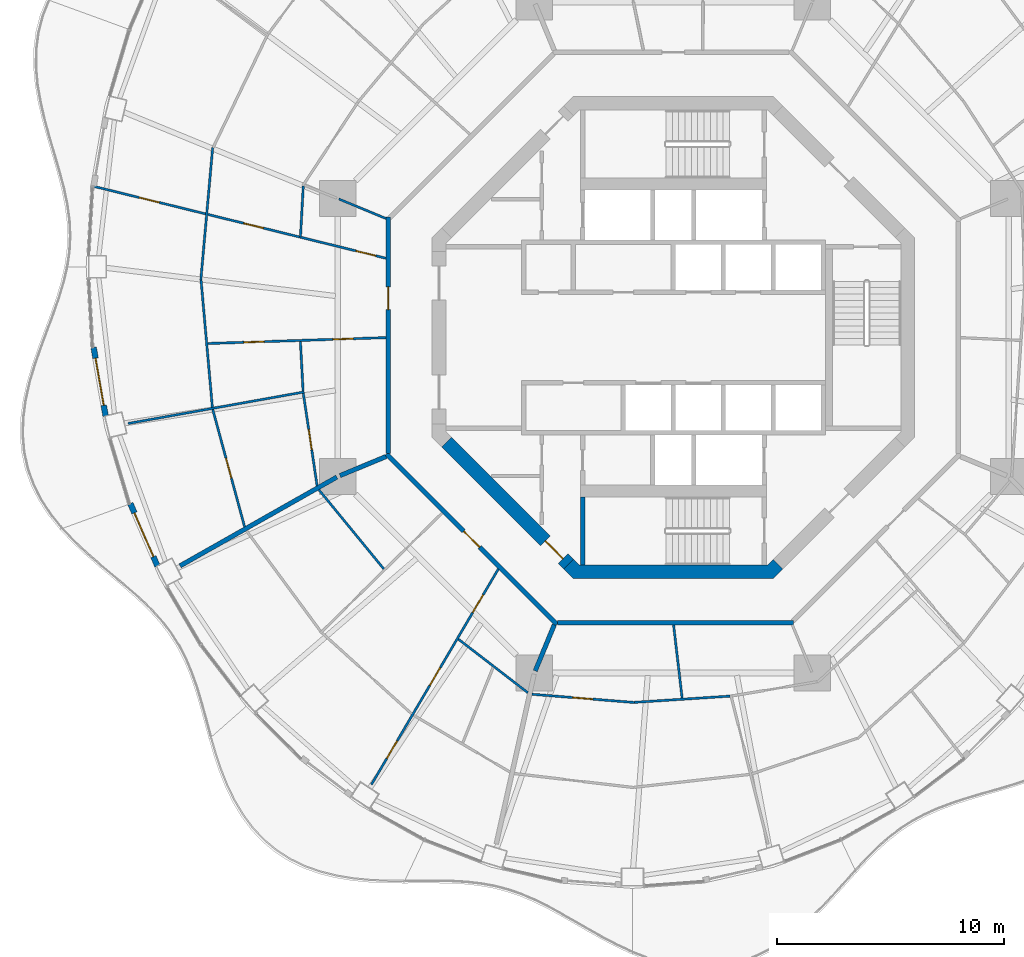
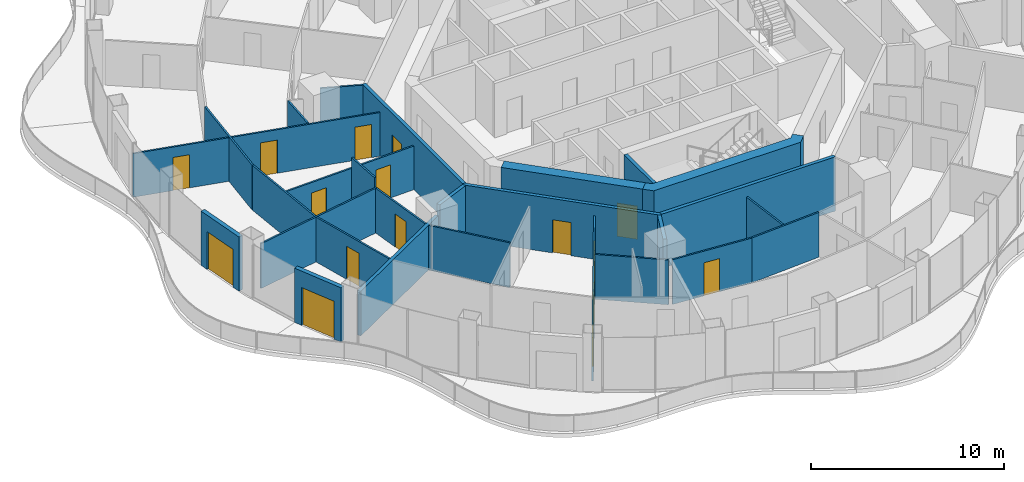
# One storey, part 10 of 18: 27 walls, 16 doors, 16 openings.
"""IFC4 building model written with IfcOpenShell, lengths in metres."""

from ifc_helpers import new_model, si_unit, direction, frame, frame_2d, origin, place, context, subcontext, project, spatial, polyline, rectangle, outline, extrude, material, layer, layer_set, type_object, element, fill, save


model = new_model("IFC4")

# Units and contexts
model_context = context("Model", 3, precision=1e-05, world=origin(), true_north=direction((0.0, 1.0)))
body_context = subcontext(model_context, "Body", "Model", "MODEL_VIEW")
ifc_project = project(units=[si_unit("LENGTHUNIT", "METRE"), si_unit("AREAUNIT", "SQUARE_METRE"), si_unit("VOLUMEUNIT", "CUBIC_METRE"), si_unit("PLANEANGLEUNIT", "RADIAN"), si_unit("MASSUNIT", "GRAM", prefix="KILO")], contexts=[model_context])

# Site, building, storey
site_placement = place(None, origin())
site = spatial("IfcSite", under=ifc_project, at=site_placement, CompositionType="ELEMENT")
building_placement = place(site_placement, origin())
building = spatial("IfcBuilding", under=site, at=building_placement, Name="Nagisa Residences", CompositionType="ELEMENT")
storey_placement = place(building_placement, frame((0.0, 0.0, 241.800048828125)))
storey = spatial("IfcBuildingStorey", under=building, at=storey_placement, Name="L61", CompositionType="ELEMENT", Elevation=241.800048828125)

# Walls
ifc_material_1 = material(Name="Gypsum board on steel studs", Category="steel")
ifc_layer_1 = layer(ifc_material_1, 0.199951171875)
ifc_layer_set_1 = layer_set([ifc_layer_1], Name="Apartment compartment wall EI60 200")
wall_type_1 = type_object("IfcWallType", Name="Apartment compartment wall EI60 200", PredefinedType="PARTITIONING", material=ifc_layer_set_1)
wall_1_placement = place(storey_placement, frame((-12.6572265625, -5.24267578125, 0.0), z_axis=(0.0, 0.0, 1.0), x_axis=(-0.923859888513, -0.38273085373, 0.0)))
element("IfcWall", 1, at=wall_1_placement, inside=storey, type_object=wall_type_1, Name="wall:L61:u02", PredefinedType="PARTITIONING", context=body_context, shape_type="SweptSolid", body=[
    extrude(rectangle(XDim=2.199462890625, YDim=0.199951171875, at=frame_2d((1.099609375, 0.0))), origin(), (0.0, 0.0, 1.0), 3.43994140625),
])
wall_2_placement = place(storey_placement, frame((-14.825439453125, -6.147705078125, 0.0), z_axis=(0.0, 0.0, 1.0), x_axis=(-0.870099576105, -0.492875975944, 0.0)))
element("IfcWall", 2, at=wall_2_placement, inside=storey, type_object=wall_type_1, Name="wall:L61:u03", PredefinedType="PARTITIONING", context=body_context, shape_type="SweptSolid", body=[
    extrude(rectangle(XDim=7.937255859375, YDim=0.199951171875, at=frame_2d((3.96875, 0.0))), origin(), (0.0, 0.0, 1.0), 2.8369140625),
])
wall_3_placement = place(storey_placement, frame((-5.24267578125, -12.6572265625, 0.0), z_axis=(0.0, 0.0, 1.0), x_axis=(-0.382691608661, -0.923876145736, 0.0)))
element("IfcWall", 3, at=wall_3_placement, inside=storey, type_object=wall_type_1, Name="wall:L61:u04", PredefinedType="PARTITIONING", context=body_context, shape_type="SweptSolid", body=[
    extrude(rectangle(XDim=2.19970703125, YDim=0.199951171875, at=frame_2d((1.099853515625, 0.0))), origin(), (0.0, 0.0, 1.0), 3.43994140625),
])

# Wall, opening, door
ifc_material_2 = material(Name="Gypsum board on steel studs", Category="steel")
ifc_layer_2 = layer(ifc_material_2, 0.199951171875)
ifc_layer_set_2 = layer_set([ifc_layer_2], Name="Apartment entry wall EI60 200")
wall_type_2 = type_object("IfcWallType", Name="Apartment entry wall EI60 200", PredefinedType="PARTITIONING", material=ifc_layer_set_2)
wall_4_placement = place(storey_placement, frame((-12.564697265625, 5.304443359375, 0.0), z_axis=(0.0, 0.0, 1.0), x_axis=(0.0, -1.0, 0.0)))
wall_4 = element("IfcWall", 4, at=wall_4_placement, inside=storey, type_object=wall_type_2, Name="wall:L61:u12", PredefinedType="PARTITIONING", context=body_context, shape_type="SweptSolid", body=[
    extrude(rectangle(XDim=10.408935546875, YDim=0.199951171875, at=frame_2d((5.20458984375, 0.0))), origin(), (0.0, 0.0, 1.0), 3.43994140625),
])
opening_1_placement = place(wall_4_placement, frame((3.069580078125, 0.0, 0.0)))
opening_1 = element("IfcOpeningElement", 5, at=opening_1_placement, cuts=wall_4, Name="Opening L61-U40", PredefinedType="OPENING", context=body_context, shape_type="SweptSolid", body=[
    extrude(rectangle(XDim=1.0, YDim=2.10009765625, at=frame_2d((0.5, 1.050048828125))), frame((0.0, 0.10986328125, 0.0), z_axis=(0.0, -1.0, 0.0), x_axis=(1.0, 0.0, 0.0)), (0.0, 0.0, 1.0), 0.219970703125),
])
ifc_material_3 = material(Name="Timber fire door set", Category="wood")
door_type_1 = type_object("IfcDoorType", Name="Apartment entry door FD30S 1000x2100", OperationType="NOTDEFINED", PredefinedType="DOOR", material=ifc_material_3)
door_1_placement = place(opening_1_placement, frame((1.0, 0.0, 0.0), x_axis=(-1.0, 0.0, 0.0)))
door_1 = element("IfcDoor", 6, at=door_1_placement, inside=storey, type_object=door_type_1, Name="Entry door, Apartment 61D", OperationType="SINGLE_SWING_LEFT", OverallHeight=2.10009765625, OverallWidth=1.0, PredefinedType="DOOR", context=body_context, shape_type="SweptSolid", body=[
    extrude(rectangle(XDim=1.0, YDim=2.10009765625, at=frame_2d((0.5, 1.050048828125))), frame((0.0, 0.02490234375, 0.0), z_axis=(0.0, -1.0, 0.0), x_axis=(1.0, 0.0, 0.0)), (0.0, 0.0, 1.0), 0.050048828125),
])
fill(opening_1, door_1)

wall_5_placement = place(storey_placement, frame((-12.635498046875, -5.1337890625, 0.0), z_axis=(0.0, 0.0, 1.0), x_axis=(0.707106781187, -0.707106781187, 0.0)))
wall_5 = element("IfcWall", 7, at=wall_5_placement, inside=storey, type_object=wall_type_2, Name="wall:L61:u13", PredefinedType="PARTITIONING", context=body_context, shape_type="SweptSolid", body=[
    extrude(rectangle(XDim=10.609130859375, YDim=0.199951171875, at=frame_2d((5.3046875, 0.0))), origin(), (0.0, 0.0, 1.0), 3.43994140625),
])
opening_2_placement = place(wall_5_placement, frame((4.804443359375, 0.0, 0.0)))
opening_2 = element("IfcOpeningElement", 8, at=opening_2_placement, cuts=wall_5, Name="Opening L61-U01", PredefinedType="OPENING", context=body_context, shape_type="SweptSolid", body=[
    extrude(rectangle(XDim=1.0, YDim=2.10009765625, at=frame_2d((0.5, 1.050048828125))), frame((0.0, 0.10986328125, 0.0), z_axis=(0.0, -1.0, 0.0), x_axis=(1.0, 0.0, 0.0)), (0.0, 0.0, 1.0), 0.219970703125),
])
door_2_placement = place(opening_2_placement, frame((1.0, 0.0, 0.0), x_axis=(-1.0, 0.0, 0.0)))
door_2 = element("IfcDoor", 9, at=door_2_placement, inside=storey, type_object=door_type_1, Name="Entry door, Apartment 61A", OperationType="SINGLE_SWING_RIGHT", OverallHeight=2.10009765625, OverallWidth=1.0, PredefinedType="DOOR", context=body_context, shape_type="SweptSolid", body=[
    extrude(rectangle(XDim=1.0, YDim=2.10009765625, at=frame_2d((0.5, 1.050048828125))), frame((0.0, 0.02490234375, 0.0), z_axis=(0.0, -1.0, 0.0), x_axis=(1.0, 0.0, 0.0)), (0.0, 0.0, 1.0), 0.050048828125),
])
fill(opening_2, door_2)

# Walls
wall_6_placement = place(storey_placement, frame((-5.1044921875, -12.564697265625, 0.0), z_axis=(0.0, 0.0, 1.0), x_axis=(1.0, 0.0, 0.0)))
element("IfcWall", 10, at=wall_6_placement, inside=storey, type_object=wall_type_2, Name="wall:L61:u14", PredefinedType="PARTITIONING", context=body_context, shape_type="SweptSolid", body=[
    extrude(rectangle(XDim=10.408935546875, YDim=0.199951171875, at=frame_2d((5.20458984375, 0.0))), origin(), (0.0, 0.0, 1.0), 3.43994140625),
])
ifc_material_4 = material(Name="Gypsum board on steel studs", Category="steel")
ifc_layer_3 = layer(ifc_material_4, 0.10009765625)
ifc_layer_set_3 = layer_set([ifc_layer_3], Name="Apartment partition 100")
wall_type_3 = type_object("IfcWallType", Name="Apartment partition 100", PredefinedType="PARTITIONING", material=ifc_layer_set_3)
wall_7_placement = place(storey_placement, frame((-12.6572265625, 5.24267578125, 0.0), z_axis=(0.0, 0.0, 1.0), x_axis=(-0.923864733477, 0.382719158442, 0.0)))
element("IfcWall", 11, at=wall_7_placement, inside=storey, type_object=wall_type_3, Name="wall:L61:u54", PredefinedType="PARTITIONING", context=body_context, shape_type="SweptSolid", body=[
    extrude(rectangle(XDim=2.25, YDim=0.10009765625, at=frame_2d((1.125, 0.0))), origin(), (0.0, 0.0, 1.0), 3.43994140625),
])
wall_8_placement = place(storey_placement, frame((-16.30419921875, 6.67724609375, 0.0), z_axis=(0.0, 0.0, 1.0), x_axis=(-0.055638870195, -0.998450958297, 0.0)))
element("IfcWall", 12, at=wall_8_placement, inside=storey, type_object=wall_type_3, Name="wall:L61:u56", PredefinedType="PARTITIONING", context=body_context, shape_type="SweptSolid", body=[
    extrude(rectangle(XDim=2.2421875, YDim=0.10009765625, at=frame_2d((1.12109375, 0.0))), origin(), (0.0, 0.0, 1.0), 2.8369140625),
])
wall_9_placement = place(storey_placement, frame((-20.296142578125, 8.36767578125, 0.0), z_axis=(0.0, 0.0, 1.0), x_axis=(-0.08928986402, -0.996005682807, 0.0)))
element("IfcWall", 13, at=wall_9_placement, inside=storey, type_object=wall_type_3, Name="wall:L61:u57", PredefinedType="PARTITIONING", context=body_context, shape_type="SweptSolid", body=[
    extrude(rectangle(XDim=5.8486328125, YDim=0.10009765625, at=frame_2d((2.92431640625, 0.0))), origin(), (0.0, 0.0, 1.0), 2.8369140625),
])

# Wall, openings, doors
wall_10_placement = place(storey_placement, frame((-12.661865234375, 3.49365234375, 0.0), z_axis=(0.0, 0.0, 1.0), x_axis=(-0.971037272035, 0.238928056784, 0.0)))
wall_10 = element("IfcWall", 14, at=wall_10_placement, inside=storey, type_object=wall_type_3, Name="wall:L61:u58", PredefinedType="PARTITIONING", context=body_context, shape_type="SweptSolid", body=[
    extrude(rectangle(XDim=13.35009765625, YDim=0.10009765625, at=frame_2d((6.675048828125, 0.0))), origin(), (0.0, 0.0, 1.0), 2.761962890625),
])
opening_3_placement = place(wall_10_placement, frame((0.464111328125, 0.0, 0.0)))
opening_3 = element("IfcOpeningElement", 15, at=opening_3_placement, cuts=wall_10, Name="Opening L61-U41", PredefinedType="OPENING", context=body_context, shape_type="SweptSolid", body=[
    extrude(rectangle(XDim=0.89990234375, YDim=2.10009765625, at=frame_2d((0.449951171875, 1.050048828125))), frame((0.0, 0.06005859375, 0.0), z_axis=(0.0, -1.0, 0.0), x_axis=(1.0, 0.0, 0.0)), (0.0, 0.0, 1.0), 0.1201171875),
])
opening_4_placement = place(wall_10_placement, frame((5.5595703125, 0.0, 0.0)))
opening_4 = element("IfcOpeningElement", 16, at=opening_4_placement, cuts=wall_10, Name="Opening L61-U43", PredefinedType="OPENING", context=body_context, shape_type="SweptSolid", body=[
    extrude(rectangle(XDim=0.89990234375, YDim=2.10009765625, at=frame_2d((0.449951171875, 1.050048828125))), frame((0.0, 0.06005859375, 0.0), z_axis=(0.0, -1.0, 0.0), x_axis=(1.0, 0.0, 0.0)), (0.0, 0.0, 1.0), 0.1201171875),
])
opening_5_placement = place(wall_10_placement, frame((10.292724609375, 0.0, 0.0)))
opening_5 = element("IfcOpeningElement", 17, at=opening_5_placement, cuts=wall_10, Name="Opening L61-U48", PredefinedType="OPENING", context=body_context, shape_type="SweptSolid", body=[
    extrude(rectangle(XDim=0.89990234375, YDim=2.10009765625, at=frame_2d((0.449951171875, 1.050048828125))), frame((0.0, 0.06005859375, 0.0), z_axis=(0.0, -1.0, 0.0), x_axis=(1.0, 0.0, 0.0)), (0.0, 0.0, 1.0), 0.1201171875),
])
ifc_material_5 = material(Name="Timber door set", Category="wood")
door_type_2 = type_object("IfcDoorType", Name="Apartment door 900x2100", OperationType="NOTDEFINED", PredefinedType="DOOR", material=ifc_material_5)
door_3_placement = place(opening_3_placement, frame((0.89990234375, 0.0, 0.0), x_axis=(-1.0, 0.0, 0.0)))
door_3 = element("IfcDoor", 18, at=door_3_placement, inside=storey, type_object=door_type_2, Name="Door to family bathroom, Apartment 61D", OperationType="SINGLE_SWING_RIGHT", OverallHeight=2.10009765625, OverallWidth=0.89990234375, PredefinedType="DOOR", context=body_context, shape_type="SweptSolid", body=[
    extrude(rectangle(XDim=0.89990234375, YDim=2.10009765625, at=frame_2d((0.449951171875, 1.050048828125))), frame((0.0, 0.02490234375, 0.0), z_axis=(0.0, -1.0, 0.0), x_axis=(1.0, 0.0, 0.0)), (0.0, 0.0, 1.0), 0.050048828125),
])
fill(opening_3, door_3)
door_4_placement = place(opening_4_placement, frame((0.89990234375, 0.0, 0.0), x_axis=(-1.0, 0.0, 0.0)))
door_4 = element("IfcDoor", 19, at=door_4_placement, inside=storey, type_object=door_type_2, Name="Door to dining room, Apartment 61D", OperationType="SINGLE_SWING_RIGHT", OverallHeight=2.10009765625, OverallWidth=0.89990234375, PredefinedType="DOOR", context=body_context, shape_type="SweptSolid", body=[
    extrude(rectangle(XDim=0.89990234375, YDim=2.10009765625, at=frame_2d((0.449951171875, 1.050048828125))), frame((0.0, 0.02490234375, 0.0), z_axis=(0.0, -1.0, 0.0), x_axis=(1.0, 0.0, 0.0)), (0.0, 0.0, 1.0), 0.050048828125),
])
fill(opening_4, door_4)
door_5_placement = place(opening_5_placement, origin())
door_5 = element("IfcDoor", 20, at=door_5_placement, inside=storey, type_object=door_type_2, Name="Door to master bedroom, Apartment 61D", OperationType="SINGLE_SWING_RIGHT", OverallHeight=2.10009765625, OverallWidth=0.89990234375, PredefinedType="DOOR", context=body_context, shape_type="SweptSolid", body=[
    extrude(rectangle(XDim=0.89990234375, YDim=2.10009765625, at=frame_2d((0.449951171875, 1.050048828125))), frame((0.0, 0.02490234375, 0.0), z_axis=(0.0, -1.0, 0.0), x_axis=(1.0, 0.0, 0.0)), (0.0, 0.0, 1.0), 0.050048828125),
])
fill(opening_5, door_5)

# Wall
wall_11_placement = place(storey_placement, frame((-20.8095703125, 2.54248046875, 0.0), z_axis=(0.0, 0.0, 1.0), x_axis=(0.088621920298, -0.996065336834, 0.0)))
element("IfcWall", 21, at=wall_11_placement, inside=storey, type_object=wall_type_3, Name="wall:L61:u59", PredefinedType="PARTITIONING", context=body_context, shape_type="SweptSolid", body=[
    extrude(rectangle(XDim=5.636474609375, YDim=0.10009765625, at=frame_2d((2.818359375, 0.0))), origin(), (0.0, 0.0, 1.0), 2.8369140625),
])

# Wall, openings, doors
wall_12_placement = place(storey_placement, frame((-12.664794921875, -0.00341796875, 0.0), z_axis=(0.0, 0.0, 1.0), x_axis=(-0.999453263957, -0.033063169315, 0.0)))
wall_12 = element("IfcWall", 22, at=wall_12_placement, inside=storey, type_object=wall_type_3, Name="wall:L61:u60", PredefinedType="PARTITIONING", context=body_context, shape_type="SweptSolid", body=[
    extrude(rectangle(XDim=7.849365234375, YDim=0.10009765625, at=frame_2d((3.9248046875, 0.0))), origin(), (0.0, 0.0, 1.0), 2.761962890625),
])
opening_6_placement = place(wall_12_placement, frame((1.435302734375, 0.0, 0.0)))
opening_6 = element("IfcOpeningElement", 23, at=opening_6_placement, cuts=wall_12, Name="Opening L61-U42", PredefinedType="OPENING", context=body_context, shape_type="SweptSolid", body=[
    extrude(rectangle(XDim=0.89990234375, YDim=2.10009765625, at=frame_2d((0.449951171875, 1.050048828125))), frame((0.0, 0.06005859375, 0.0), z_axis=(0.0, -1.0, 0.0), x_axis=(1.0, 0.0, 0.0)), (0.0, 0.0, 1.0), 0.1201171875),
])
opening_7_placement = place(wall_12_placement, frame((5.360107421875, 0.0, 0.0)))
opening_7 = element("IfcOpeningElement", 24, at=opening_7_placement, cuts=wall_12, Name="Opening L61-U44", PredefinedType="OPENING", context=body_context, shape_type="SweptSolid", body=[
    extrude(rectangle(XDim=0.89990234375, YDim=2.10009765625, at=frame_2d((0.449951171875, 1.050048828125))), frame((0.0, 0.06005859375, 0.0), z_axis=(0.0, -1.0, 0.0), x_axis=(1.0, 0.0, 0.0)), (0.0, 0.0, 1.0), 0.1201171875),
])
door_6_placement = place(opening_6_placement, origin())
door_6 = element("IfcDoor", 25, at=door_6_placement, inside=storey, type_object=door_type_2, Name="Door to laundry, Apartment 61D", OperationType="SINGLE_SWING_RIGHT", OverallHeight=2.10009765625, OverallWidth=0.89990234375, PredefinedType="DOOR", context=body_context, shape_type="SweptSolid", body=[
    extrude(rectangle(XDim=0.89990234375, YDim=2.10009765625, at=frame_2d((0.449951171875, 1.050048828125))), frame((0.0, 0.02490234375, 0.0), z_axis=(0.0, -1.0, 0.0), x_axis=(1.0, 0.0, 0.0)), (0.0, 0.0, 1.0), 0.050048828125),
])
fill(opening_6, door_6)
door_7_placement = place(opening_7_placement, origin())
door_7 = element("IfcDoor", 26, at=door_7_placement, inside=storey, type_object=door_type_2, Name="Door to family bathroom, Apartment 61D", OperationType="SINGLE_SWING_RIGHT", OverallHeight=2.10009765625, OverallWidth=0.89990234375, PredefinedType="DOOR", context=body_context, shape_type="SweptSolid", body=[
    extrude(rectangle(XDim=0.89990234375, YDim=2.10009765625, at=frame_2d((0.449951171875, 1.050048828125))), frame((0.0, 0.02490234375, 0.0), z_axis=(0.0, -1.0, 0.0), x_axis=(1.0, 0.0, 0.0)), (0.0, 0.0, 1.0), 0.050048828125),
])
fill(opening_7, door_7)

# Walls
wall_13_placement = place(storey_placement, frame((-16.4306640625, -0.177978515625, 0.0), z_axis=(0.0, 0.0, 1.0), x_axis=(0.053951127036, -0.998543577362, 0.0)))
element("IfcWall", 27, at=wall_13_placement, inside=storey, type_object=wall_type_3, Name="wall:L61:u61", PredefinedType="PARTITIONING", context=body_context, shape_type="SweptSolid", body=[
    extrude(rectangle(XDim=2.18115234375, YDim=0.10009765625, at=frame_2d((1.090576171875, 0.0))), origin(), (0.0, 0.0, 1.0), 3.43994140625),
])
wall_14_placement = place(storey_placement, frame((-16.260986328125, -2.39697265625, 0.0), z_axis=(0.0, 0.0, 1.0), x_axis=(-0.984329983721, -0.17633627859, 0.0)))
element("IfcWall", 28, at=wall_14_placement, inside=storey, type_object=wall_type_3, Name="wall:L61:u62", PredefinedType="PARTITIONING", context=body_context, shape_type="SweptSolid", body=[
    extrude(rectangle(XDim=7.882080078125, YDim=0.10009765625, at=frame_2d((3.94091796875, 0.0))), origin(), (0.0, 0.0, 1.0), 2.8369140625),
])

# Wall, opening, door
wall_15_placement = place(storey_placement, frame((-16.302978515625, -2.455322265625, 0.0), z_axis=(0.0, 0.0, 1.0), x_axis=(0.147711951447, -0.9890304239, 0.0)))
wall_15 = element("IfcWall", 29, at=wall_15_placement, inside=storey, type_object=wall_type_3, Name="wall:L61:u63", PredefinedType="PARTITIONING", context=body_context, shape_type="SweptSolid", body=[
    extrude(rectangle(XDim=4.1220703125, YDim=0.10009765625, at=frame_2d((2.06103515625, 0.0))), origin(), (0.0, 0.0, 1.0), 2.8369140625),
])
opening_8_placement = place(wall_15_placement, frame((1.611083984375, 0.0, 0.0)))
opening_8 = element("IfcOpeningElement", 30, at=opening_8_placement, cuts=wall_15, Name="Opening L61-U45", PredefinedType="OPENING", context=body_context, shape_type="SweptSolid", body=[
    extrude(rectangle(XDim=0.89990234375, YDim=2.10009765625, at=frame_2d((0.449951171875, 1.050048828125))), frame((0.0, 0.06005859375, 0.0), z_axis=(0.0, -1.0, 0.0), x_axis=(1.0, 0.0, 0.0)), (0.0, 0.0, 1.0), 0.1201171875),
])
door_8_placement = place(opening_8_placement, frame((0.89990234375, 0.0, 0.0), x_axis=(-1.0, 0.0, 0.0)))
door_8 = element("IfcDoor", 31, at=door_8_placement, inside=storey, type_object=door_type_2, Name="Door to family room, Apartment 61D", OperationType="SINGLE_SWING_RIGHT", OverallHeight=2.10009765625, OverallWidth=0.89990234375, PredefinedType="DOOR", context=body_context, shape_type="SweptSolid", body=[
    extrude(rectangle(XDim=0.89990234375, YDim=2.10009765625, at=frame_2d((0.449951171875, 1.050048828125))), frame((0.0, 0.02490234375, 0.0), z_axis=(0.0, -1.0, 0.0), x_axis=(1.0, 0.0, 0.0)), (0.0, 0.0, 1.0), 0.050048828125),
])
fill(opening_8, door_8)

wall_16_placement = place(storey_placement, frame((-20.29248046875, -3.169677734375, 0.0), z_axis=(0.0, 0.0, 1.0), x_axis=(0.26187906236, -0.965100697698, 0.0)))
wall_16 = element("IfcWall", 32, at=wall_16_placement, inside=storey, type_object=wall_type_3, Name="wall:L61:u64", PredefinedType="PARTITIONING", context=body_context, shape_type="SweptSolid", body=[
    extrude(rectangle(XDim=5.35595703125, YDim=0.10009765625, at=frame_2d((2.677978515625, 0.0))), origin(), (0.0, 0.0, 1.0), 2.8369140625),
])
opening_9_placement = place(wall_16_placement, frame((2.227783203125, 0.0, 0.0)))
opening_9 = element("IfcOpeningElement", 33, at=opening_9_placement, cuts=wall_16, Name="Opening L61-U49", PredefinedType="OPENING", context=body_context, shape_type="SweptSolid", body=[
    extrude(rectangle(XDim=0.89990234375, YDim=2.10009765625, at=frame_2d((0.449951171875, 1.050048828125))), frame((0.0, 0.06005859375, 0.0), z_axis=(0.0, -1.0, 0.0), x_axis=(1.0, 0.0, 0.0)), (0.0, 0.0, 1.0), 0.1201171875),
])
door_9_placement = place(opening_9_placement, frame((0.89990234375, 0.0, 0.0), x_axis=(-1.0, 0.0, 0.0)))
door_9 = element("IfcDoor", 34, at=door_9_placement, inside=storey, type_object=door_type_2, Name="Door to bedroom, Apartment 61D", OperationType="SINGLE_SWING_RIGHT", OverallHeight=2.10009765625, OverallWidth=0.89990234375, PredefinedType="DOOR", context=body_context, shape_type="SweptSolid", body=[
    extrude(rectangle(XDim=0.89990234375, YDim=2.10009765625, at=frame_2d((0.449951171875, 1.050048828125))), frame((0.0, 0.02490234375, 0.0), z_axis=(0.0, -1.0, 0.0), x_axis=(1.0, 0.0, 0.0)), (0.0, 0.0, 1.0), 0.050048828125),
])
fill(opening_9, door_9)

# Wall
wall_17_placement = place(storey_placement, frame((-15.615966796875, -6.70849609375, 0.0), z_axis=(0.0, 0.0, 1.0), x_axis=(0.634074410447, -0.77327203623, 0.0)))
element("IfcWall", 35, at=wall_17_placement, inside=storey, type_object=wall_type_3, Name="wall:L61:u65", PredefinedType="PARTITIONING", context=body_context, shape_type="SweptSolid", body=[
    extrude(rectangle(XDim=4.510986328125, YDim=0.10009765625, at=frame_2d((2.25537109375, 0.0))), origin(), (0.0, 0.0, 1.0), 2.8369140625),
])

# Wall, openings, doors
wall_18_placement = place(storey_placement, frame((-7.708740234375, -10.197509765625, 0.0), z_axis=(0.0, 0.0, 1.0), x_axis=(-0.507355901053, -0.8617366127, 0.0)))
wall_18 = element("IfcWall", 36, at=wall_18_placement, inside=storey, type_object=wall_type_3, Name="wall:L61:u69", PredefinedType="PARTITIONING", context=body_context, shape_type="SweptSolid", body=[
    extrude(rectangle(XDim=11.02490234375, YDim=0.10009765625, at=frame_2d((5.512451171875, 0.0))), origin(), (0.0, 0.0, 1.0), 2.761962890625),
])
opening_10_placement = place(wall_18_placement, frame((1.326171875, 0.0, 0.0)))
opening_10 = element("IfcOpeningElement", 37, at=opening_10_placement, cuts=wall_18, Name="Opening L61-U03", PredefinedType="OPENING", context=body_context, shape_type="SweptSolid", body=[
    extrude(rectangle(XDim=0.89990234375, YDim=2.10009765625, at=frame_2d((0.449951171875, 1.050048828125))), frame((0.0, 0.06005859375, 0.0), z_axis=(0.0, -1.0, 0.0), x_axis=(1.0, 0.0, 0.0)), (0.0, 0.0, 1.0), 0.1201171875),
])
opening_11_placement = place(wall_18_placement, frame((5.05029296875, 0.0, 0.0)))
opening_11 = element("IfcOpeningElement", 38, at=opening_11_placement, cuts=wall_18, Name="Opening L61-U05", PredefinedType="OPENING", context=body_context, shape_type="SweptSolid", body=[
    extrude(rectangle(XDim=0.89990234375, YDim=2.10009765625, at=frame_2d((0.449951171875, 1.050048828125))), frame((0.0, 0.06005859375, 0.0), z_axis=(0.0, -1.0, 0.0), x_axis=(1.0, 0.0, 0.0)), (0.0, 0.0, 1.0), 0.1201171875),
])
opening_12_placement = place(wall_18_placement, frame((8.78662109375, 0.0, 0.0)))
opening_12 = element("IfcOpeningElement", 39, at=opening_12_placement, cuts=wall_18, Name="Opening L61-U07", PredefinedType="OPENING", context=body_context, shape_type="SweptSolid", body=[
    extrude(rectangle(XDim=0.89990234375, YDim=2.10009765625, at=frame_2d((0.449951171875, 1.050048828125))), frame((0.0, 0.06005859375, 0.0), z_axis=(0.0, -1.0, 0.0), x_axis=(1.0, 0.0, 0.0)), (0.0, 0.0, 1.0), 0.1201171875),
])
door_10_placement = place(opening_10_placement, origin())
door_10 = element("IfcDoor", 40, at=door_10_placement, inside=storey, type_object=door_type_2, Name="Door to store, Apartment 61A", OperationType="SINGLE_SWING_LEFT", OverallHeight=2.10009765625, OverallWidth=0.89990234375, PredefinedType="DOOR", context=body_context, shape_type="SweptSolid", body=[
    extrude(rectangle(XDim=0.89990234375, YDim=2.10009765625, at=frame_2d((0.449951171875, 1.050048828125))), frame((0.0, 0.02490234375, 0.0), z_axis=(0.0, -1.0, 0.0), x_axis=(1.0, 0.0, 0.0)), (0.0, 0.0, 1.0), 0.050048828125),
])
fill(opening_10, door_10)
door_11_placement = place(opening_11_placement, origin())
door_11 = element("IfcDoor", 41, at=door_11_placement, inside=storey, type_object=door_type_2, Name="Door to family bathroom, Apartment 61A", OperationType="SINGLE_SWING_LEFT", OverallHeight=2.10009765625, OverallWidth=0.89990234375, PredefinedType="DOOR", context=body_context, shape_type="SweptSolid", body=[
    extrude(rectangle(XDim=0.89990234375, YDim=2.10009765625, at=frame_2d((0.449951171875, 1.050048828125))), frame((0.0, 0.02490234375, 0.0), z_axis=(0.0, -1.0, 0.0), x_axis=(1.0, 0.0, 0.0)), (0.0, 0.0, 1.0), 0.050048828125),
])
fill(opening_11, door_11)
door_12_placement = place(opening_12_placement, origin())
door_12 = element("IfcDoor", 42, at=door_12_placement, inside=storey, type_object=door_type_2, Name="Door to bedroom, Apartment 61A", OperationType="SINGLE_SWING_LEFT", OverallHeight=2.10009765625, OverallWidth=0.89990234375, PredefinedType="DOOR", context=body_context, shape_type="SweptSolid", body=[
    extrude(rectangle(XDim=0.89990234375, YDim=2.10009765625, at=frame_2d((0.449951171875, 1.050048828125))), frame((0.0, 0.02490234375, 0.0), z_axis=(0.0, -1.0, 0.0), x_axis=(1.0, 0.0, 0.0)), (0.0, 0.0, 1.0), 0.050048828125),
])
fill(opening_12, door_12)

# Wall
wall_19_placement = place(storey_placement, frame((-9.471435546875, -13.289306640625, 0.0), z_axis=(0.0, 0.0, 1.0), x_axis=(0.792227074489, -0.610226402614, 0.0)))
element("IfcWall", 43, at=wall_19_placement, inside=storey, type_object=wall_type_3, Name="wall:L61:u70", PredefinedType="PARTITIONING", context=body_context, shape_type="SweptSolid", body=[
    extrude(rectangle(XDim=3.865966796875, YDim=0.10009765625, at=frame_2d((1.93310546875, 0.0))), origin(), (0.0, 0.0, 1.0), 2.8369140625),
])

# Wall, opening, door
wall_20_placement = place(storey_placement, frame((-6.22998046875, -15.71728515625, 0.0), z_axis=(0.0, 0.0, 1.0), x_axis=(0.996784770134, -0.080125663978, 0.0)))
wall_20 = element("IfcWall", 44, at=wall_20_placement, inside=storey, type_object=wall_type_3, Name="wall:L61:u73", PredefinedType="PARTITIONING", context=body_context, shape_type="SweptSolid", body=[
    extrude(rectangle(XDim=4.5400390625, YDim=0.10009765625, at=frame_2d((2.27001953125, 0.0))), origin(), (0.0, 0.0, 1.0), 2.8369140625),
])
opening_13_placement = place(wall_20_placement, frame((1.794921875, 0.0, 0.0)))
opening_13 = element("IfcOpeningElement", 45, at=opening_13_placement, cuts=wall_20, Name="Opening L61-U19", PredefinedType="OPENING", context=body_context, shape_type="SweptSolid", body=[
    extrude(rectangle(XDim=0.89990234375, YDim=2.10009765625, at=frame_2d((0.449951171875, 1.050048828125))), frame((0.0, 0.06005859375, 0.0), z_axis=(0.0, -1.0, 0.0), x_axis=(1.0, 0.0, 0.0)), (0.0, 0.0, 1.0), 0.1201171875),
])
door_13_placement = place(opening_13_placement, origin())
door_13 = element("IfcDoor", 46, at=door_13_placement, inside=storey, type_object=door_type_2, Name="Door to store, Apartment 61B", OperationType="SINGLE_SWING_LEFT", OverallHeight=2.10009765625, OverallWidth=0.89990234375, PredefinedType="DOOR", context=body_context, shape_type="SweptSolid", body=[
    extrude(rectangle(XDim=0.89990234375, YDim=2.10009765625, at=frame_2d((0.449951171875, 1.050048828125))), frame((0.0, 0.02490234375, 0.0), z_axis=(0.0, -1.0, 0.0), x_axis=(1.0, 0.0, 0.0)), (0.0, 0.0, 1.0), 0.050048828125),
])
fill(opening_13, door_13)

# Walls
wall_21_placement = place(storey_placement, frame((-1.70458984375, -16.07373046875, 0.0), z_axis=(0.0, 0.0, 1.0), x_axis=(0.997885428049, 0.064997480629, 0.0)))
element("IfcWall", 47, at=wall_21_placement, inside=storey, type_object=wall_type_3, Name="wall:L61:u75", PredefinedType="PARTITIONING", context=body_context, shape_type="SweptSolid", body=[
    extrude(rectangle(XDim=4.206787109375, YDim=0.10009765625, at=frame_2d((2.103515625, 0.0))), origin(), (0.0, 0.0, 1.0), 2.8369140625),
])
wall_22_placement = place(storey_placement, frame((0.01171875, -12.6640625, 0.0), z_axis=(0.0, 0.0, 1.0), x_axis=(0.116151589236, -0.993231497848, 0.0)))
element("IfcWall", 48, at=wall_22_placement, inside=storey, type_object=wall_type_3, Name="wall:L61:u77", PredefinedType="PARTITIONING", context=body_context, shape_type="SweptSolid", body=[
    extrude(rectangle(XDim=3.245361328125, YDim=0.10009765625, at=frame_2d((1.62255859375, 0.0))), origin(), (0.0, 0.0, 1.0), 2.761962890625),
])

# Wall, opening, door
ifc_material_6 = material(Name="Precast concrete C40/50", Category="concrete")
ifc_layer_4 = layer(ifc_material_6, 0.25)
ifc_layer_set_4 = layer_set([ifc_layer_4], Name="BALCONY DOOR WALL 250")
wall_type_4 = type_object("IfcWallType", Name="BALCONY DOOR WALL 250", PredefinedType="SOLIDWALL", material=ifc_layer_set_4)
wall_23_placement = place(storey_placement, frame((-25.0126953125, -3.457275390625, 0.0), z_axis=(0.0, 0.0, 1.0), x_axis=(-0.172241318156, 0.985054784426, 0.0)))
wall_23 = element("IfcWall", 49, at=wall_23_placement, inside=storey, type_object=wall_type_4, Name="wall:L61:bay25", PredefinedType="SOLIDWALL", context=body_context, shape_type="SweptSolid", body=[
    extrude(rectangle(XDim=3.0673828125, YDim=0.25, at=frame_2d((1.53369140625, 0.0))), origin(), (0.0, 0.0, 1.0), 3.43994140625),
])
opening_14_placement = place(wall_23_placement, frame((0.483642578125, 0.0, 0.0)))
opening_14 = element("IfcOpeningElement", 50, at=opening_14_placement, cuts=wall_23, Name="Opening BD-L61-09", PredefinedType="OPENING", context=body_context, shape_type="SweptSolid", body=[
    extrude(rectangle(XDim=2.10009765625, YDim=2.39990234375, at=frame_2d((1.050048828125, 1.199951171875))), frame((0.0, 0.135009765625, 0.0), z_axis=(0.0, -1.0, 0.0), x_axis=(1.0, 0.0, 0.0)), (0.0, 0.0, 1.0), 0.27001953125),
])
ifc_material_7 = material(Name="Aluminium and clear glass", Category="aluminium")
door_type_3 = type_object("IfcDoorType", Name="BALCONY SLIDING DOOR 2100x2400", OperationType="SLIDING_TO_LEFT", PredefinedType="DOOR", material=ifc_material_7)
door_14_placement = place(opening_14_placement, origin())
door_14 = element("IfcDoor", 51, at=door_14_placement, inside=storey, type_object=door_type_3, Name="door:L61:bay25", OperationType="SLIDING_TO_LEFT", OverallHeight=2.39990234375, OverallWidth=2.10009765625, PredefinedType="DOOR", context=body_context, shape_type="SweptSolid", body=[
    extrude(rectangle(XDim=2.10009765625, YDim=2.39990234375, at=frame_2d((1.050048828125, 1.199951171875))), frame((0.0, 0.02490234375, 0.0), z_axis=(0.0, -1.0, 0.0), x_axis=(1.0, 0.0, 0.0)), (0.0, 0.0, 1.0), 0.050048828125),
])
fill(opening_14, door_14)

wall_24_placement = place(storey_placement, frame((-22.729248046875, -10.06884765625, 0.0), z_axis=(0.0, 0.0, 1.0), x_axis=(-0.397655361949, 0.91753485662, 0.0)))
wall_24 = element("IfcWall", 52, at=wall_24_placement, inside=storey, type_object=wall_type_4, Name="wall:L61:bay27", PredefinedType="SOLIDWALL", context=body_context, shape_type="SweptSolid", body=[
    extrude(rectangle(XDim=3.002197265625, YDim=0.25, at=frame_2d((1.5009765625, 0.0))), origin(), (0.0, 0.0, 1.0), 3.43994140625),
])
opening_15_placement = place(wall_24_placement, frame((0.450927734375, 0.0, 0.0)))
opening_15 = element("IfcOpeningElement", 53, at=opening_15_placement, cuts=wall_24, Name="Opening BD-L61-10", PredefinedType="OPENING", context=body_context, shape_type="SweptSolid", body=[
    extrude(rectangle(XDim=2.10009765625, YDim=2.39990234375, at=frame_2d((1.050048828125, 1.199951171875))), frame((0.0, 0.135009765625, 0.0), z_axis=(0.0, -1.0, 0.0), x_axis=(1.0, 0.0, 0.0)), (0.0, 0.0, 1.0), 0.27001953125),
])
door_15_placement = place(opening_15_placement, origin())
door_15 = element("IfcDoor", 54, at=door_15_placement, inside=storey, type_object=door_type_3, Name="door:L61:bay27", OperationType="SLIDING_TO_LEFT", OverallHeight=2.39990234375, OverallWidth=2.10009765625, PredefinedType="DOOR", context=body_context, shape_type="SweptSolid", body=[
    extrude(rectangle(XDim=2.10009765625, YDim=2.39990234375, at=frame_2d((1.050048828125, 1.199951171875))), frame((0.0, 0.02490234375, 0.0), z_axis=(0.0, -1.0, 0.0), x_axis=(1.0, 0.0, 0.0)), (0.0, 0.0, 1.0), 0.050048828125),
])
fill(opening_15, door_15)

ifc_material_8 = material(Name="Concrete C60", Category="concrete")
ifc_layer_5 = layer(ifc_material_8, 0.60009765625)
ifc_layer_set_5 = layer_set([ifc_layer_5], Name="Core shear wall 600")
wall_type_5 = type_object("IfcWallType", Name="Core shear wall 600", PredefinedType="SHEAR", material=ifc_layer_set_5)
wall_25_placement = place(storey_placement, frame((-9.98828125, -4.613037109375, 0.0), z_axis=(0.0, 0.0, 1.0), x_axis=(0.707106781187, -0.707106781187, 0.0)))
wall_25 = element("IfcWall", 55, at=wall_25_placement, inside=storey, type_object=wall_type_5, Name="wall:L61:core:flat5", PredefinedType="SHEAR", context=body_context, shape_type="SweptSolid", body=[
    extrude(rectangle(XDim=7.601806640625, YDim=0.60009765625, at=frame_2d((3.80078125, 0.0))), origin(), (0.0, 0.0, 1.0), 3.43994140625),
])
opening_16_placement = place(wall_25_placement, frame((6.15087890625, 0.0, 0.0)))
opening_16 = element("IfcOpeningElement", 56, at=opening_16_placement, cuts=wall_25, Name="Opening L61-C24", PredefinedType="OPENING", context=body_context, shape_type="SweptSolid", body=[
    extrude(rectangle(XDim=1.10009765625, YDim=2.10009765625, at=frame_2d((0.550048828125, 1.050048828125))), frame((0.0, 0.31005859375, 0.0), z_axis=(0.0, -1.0, 0.0), x_axis=(1.0, 0.0, 0.0)), (0.0, 0.0, 1.0), 0.6201171875),
])
ifc_material_9 = material(Name="Steel fire door", Category="steel")
door_type_4 = type_object("IfcDoorType", Name="Fire door EI60 1100x2100 single swing", OperationType="NOTDEFINED", PredefinedType="DOOR", material=ifc_material_9)
door_16_placement = place(opening_16_placement, origin())
door_16 = element("IfcDoor", 57, at=door_16_placement, inside=storey, type_object=door_type_4, Name="Housekeeping lobby door L61", OperationType="SINGLE_SWING_LEFT", OverallHeight=2.10009765625, OverallWidth=1.10009765625, PredefinedType="DOOR", context=body_context, shape_type="SweptSolid", body=[
    extrude(rectangle(XDim=1.10009765625, YDim=2.10009765625, at=frame_2d((0.550048828125, 1.050048828125))), frame((0.0, 0.02490234375, 0.0), z_axis=(0.0, -1.0, 0.0), x_axis=(1.0, 0.0, 0.0)), (0.0, 0.0, 1.0), 0.050048828125),
])
fill(opening_16, door_16)

# Walls
wall_26_placement = place(storey_placement, origin())
element("IfcWall", 58, at=wall_26_placement, inside=storey, type_object=wall_type_5, Name="wall:L61:core:flat6", PredefinedType="SHEAR", context=body_context, shape_type="SweptSolid", body=[
    extrude(outline(polyline([(-4.15234375, -10.024658203125), (4.15234375, -10.024658203125), (4.40087890625, -9.776123046875), (4.8251953125, -10.200439453125), (4.40087890625, -10.62451171875), (-4.40087890625, -10.62451171875), (-4.8251953125, -10.200439453125), (-4.40087890625, -9.776123046875), (-4.15234375, -10.024658203125)])), origin(), (0.0, 0.0, 1.0), 3.43994140625),
])
ifc_material_10 = material(Name="Concrete C60", Category="concrete")
ifc_layer_6 = layer(ifc_material_10, 0.199951171875)
ifc_layer_set_6 = layer_set([ifc_layer_6], Name="Stair enclosure wall 200")
wall_type_6 = type_object("IfcWallType", Name="Stair enclosure wall 200", PredefinedType="SOLIDWALL", material=ifc_layer_set_6)
wall_27_placement = place(storey_placement, origin())
element("IfcWall", 59, at=wall_27_placement, inside=storey, type_object=wall_type_6, Name="wall:L61:SS_w", PredefinedType="SOLIDWALL", context=body_context, shape_type="SweptSolid", body=[
    extrude(outline(polyline([(-3.89990234375, -10.024658203125), (-4.10009765625, -10.024658203125), (-4.10009765625, -7.024658203125), (-3.89990234375, -7.024658203125), (-3.89990234375, -10.024658203125)])), origin(), (0.0, 0.0, 1.0), 3.43994140625),
])

save(model, "model.ifc")
